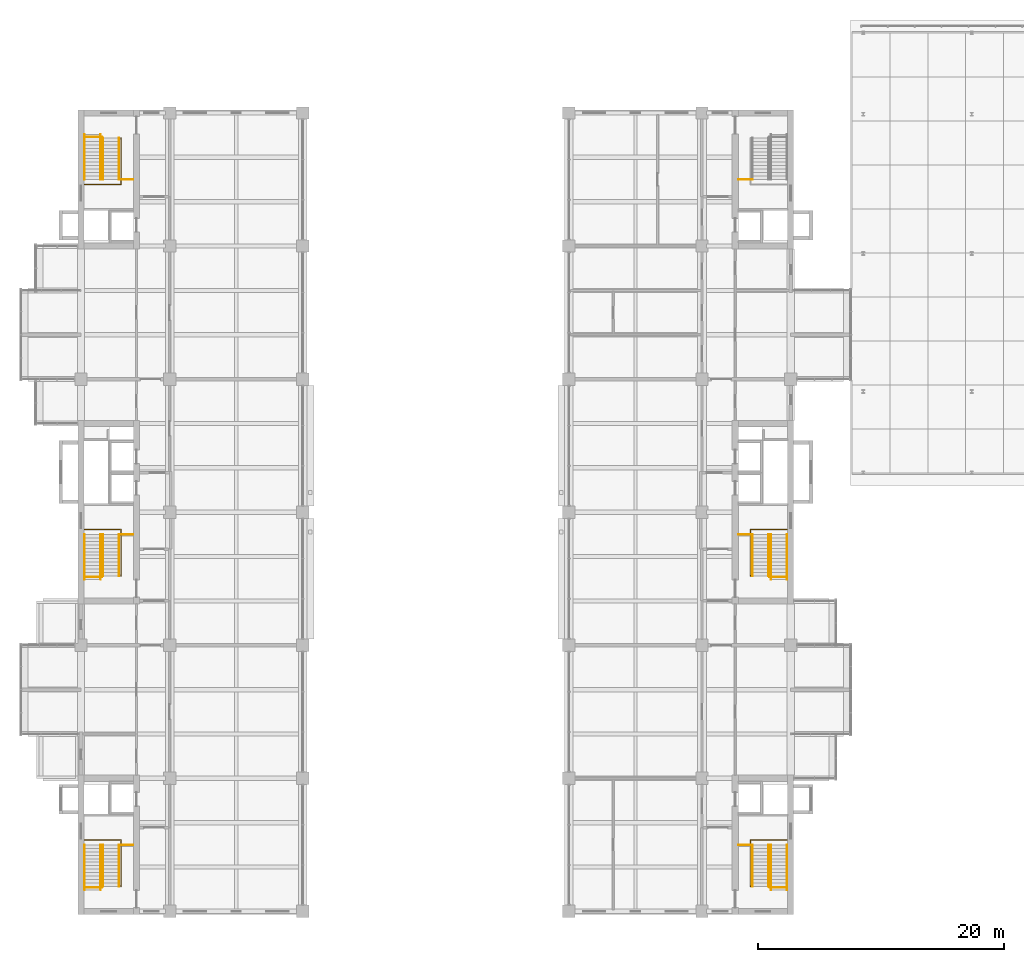
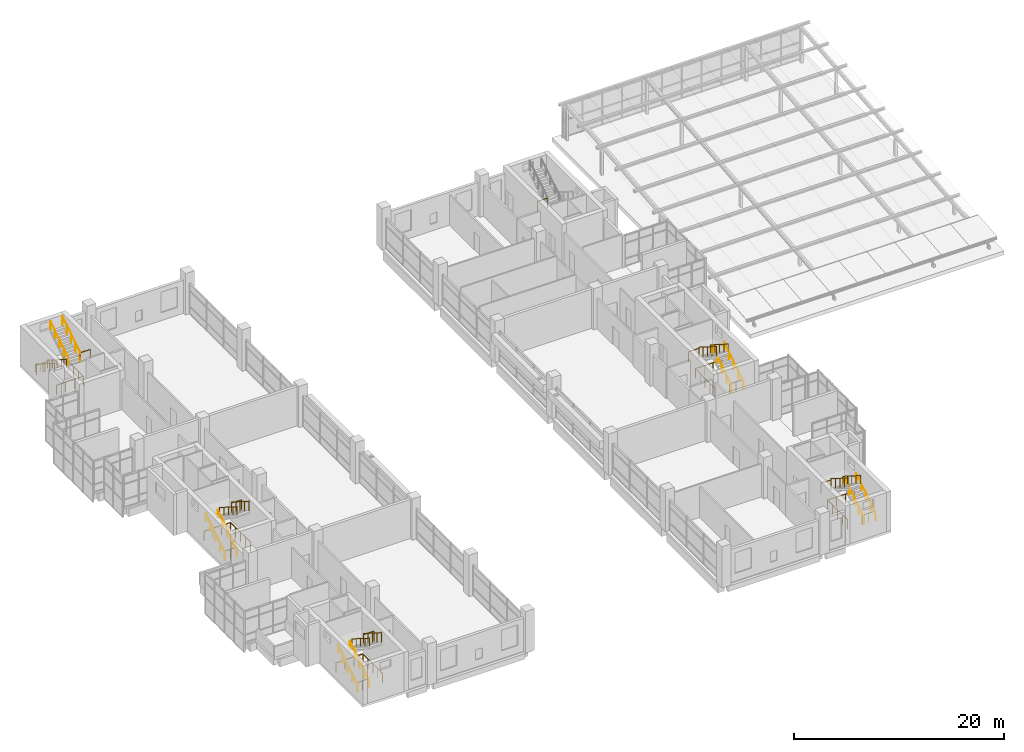
# One storey, part 43 of 44: 36 railings.
"""IFC4 building model written with IfcOpenShell, lengths in metres."""

from ifc_helpers import new_model, si_unit, direction, frame, origin, origin_2d, place, context, subcontext, project, spatial, circle, extrude, material, type_object, element, save


model = new_model("IFC4")

# Units and contexts
model_context = context("Model", 3, precision=1e-05, world=origin(), true_north=direction((0.0, 1.0)))
body_context = subcontext(model_context, "Body", "Model", "MODEL_VIEW")
ifc_project = project(units=[si_unit("LENGTHUNIT", "METRE"), si_unit("AREAUNIT", "SQUARE_METRE"), si_unit("VOLUMEUNIT", "CUBIC_METRE"), si_unit("PLANEANGLEUNIT", "RADIAN"), si_unit("MASSUNIT", "GRAM", prefix="KILO")], contexts=[model_context])

# Site, building, storey
site_placement = place(None, origin())
site = spatial("IfcSite", under=ifc_project, at=site_placement, CompositionType="ELEMENT")
building_placement = place(site_placement, origin())
building = spatial("IfcBuilding", under=site, at=building_placement, Name="Basin Gate Institute", CompositionType="ELEMENT")
storey_placement = place(building_placement, frame((0.0, 0.0, 27.0)))
storey = spatial("IfcBuildingStorey", under=building, at=storey_placement, Name="L05", CompositionType="ELEMENT", Elevation=27.0)

# Railings
ifc_material_1 = material(Name="Stainless steel", Category="steel")
railing_type_1 = type_object("IfcRailingType", Name="Stair guard GR1", PredefinedType="GUARDRAIL", material=ifc_material_1)
railing_1_placement = place(storey_placement, frame((64.449951171875, 37.1298828125, 0.0)))
element("IfcRailing", 1, at=railing_1_placement, inside=storey, type_object=railing_type_1, material=ifc_material_1, Name="Stair guard GR1 WS GD3-L04", PredefinedType="GUARDRAIL", context=body_context, shape_type="SweptSolid", body=[
    extrude(circle(Radius=0.02392578125, at=origin_2d()), frame((0.0, 0.0, 1.076171875), z_axis=(0.0, 1.0, 0.0), x_axis=(-1.0, 0.0, 0.0)), (0.0, 0.0, 1.0), 3.760009765625),
    extrude(circle(Radius=0.02392578125, at=origin_2d()), frame((0.0, 3.760009765625, 1.076171875), z_axis=(-1.0, 0.0, 0.0), x_axis=(0.0, -1.0, 0.0)), (0.0, 0.0, 1.0), 2.949951171875),
    extrude(circle(Radius=0.02099609375, at=origin_2d()), origin(), (0.0, 0.0, 1.0), 1.052001953125),
    extrude(circle(Radius=0.02099609375, at=origin_2d()), frame((0.0, 0.93994140625, 0.0)), (0.0, 0.0, 1.0), 1.052001953125),
    extrude(circle(Radius=0.02099609375, at=origin_2d()), frame((0.0, 1.8798828125, 0.0)), (0.0, 0.0, 1.0), 1.052001953125),
    extrude(circle(Radius=0.02099609375, at=origin_2d()), frame((0.0, 2.820068359375, 0.0)), (0.0, 0.0, 1.0), 1.052001953125),
    extrude(circle(Radius=0.02099609375, at=origin_2d()), frame((0.0, 3.760009765625, 0.0)), (0.0, 0.0, 1.0), 1.052001953125),
    extrude(circle(Radius=0.02099609375, at=origin_2d()), frame((-0.9833984375, 3.760009765625, 0.0)), (0.0, 0.0, 1.0), 1.052001953125),
    extrude(circle(Radius=0.02099609375, at=origin_2d()), frame((-1.966552734375, 3.760009765625, 0.0)), (0.0, 0.0, 1.0), 1.052001953125),
    extrude(circle(Radius=0.02099609375, at=origin_2d()), frame((-2.949951171875, 3.760009765625, 0.0)), (0.0, 0.0, 1.0), 1.052001953125),
])
railing_2_placement = place(storey_placement, frame((61.5, 37.050048828125, 0.0)))
element("IfcRailing", 2, at=railing_2_placement, inside=storey, type_object=railing_type_1, material=ifc_material_1, Name="Stair guard GR1 WS GD4-L04", PredefinedType="GUARDRAIL", context=body_context, shape_type="SweptSolid", body=[
    extrude(circle(Radius=0.02392578125, at=origin_2d()), frame((0.0, 0.0, 1.076171875), z_axis=(1.0, 0.0, 0.0), x_axis=(0.0, 1.0, 0.0)), (0.0, 0.0, 1.0), 1.39990234375),
    extrude(circle(Radius=0.02099609375, at=origin_2d()), origin(), (0.0, 0.0, 1.0), 1.052001953125),
    extrude(circle(Radius=0.02099609375, at=origin_2d()), frame((0.699951171875, 0.0, 0.0)), (0.0, 0.0, 1.0), 1.052001953125),
    extrude(circle(Radius=0.02099609375, at=origin_2d()), frame((1.39990234375, 0.0, 0.0)), (0.0, 0.0, 1.0), 1.052001953125),
])
railing_3_placement = place(storey_placement, frame((64.449951171875, 62.330078125, 0.0)))
element("IfcRailing", 3, at=railing_3_placement, inside=storey, type_object=railing_type_1, material=ifc_material_1, Name="Stair guard GR1 WM GD3-L04", PredefinedType="GUARDRAIL", context=body_context, shape_type="SweptSolid", body=[
    extrude(circle(Radius=0.02392578125, at=origin_2d()), frame((0.0, 0.0, 1.076171875), z_axis=(0.0, 1.0, 0.0), x_axis=(-1.0, 0.0, 0.0)), (0.0, 0.0, 1.0), 3.760009765625),
    extrude(circle(Radius=0.02392578125, at=origin_2d()), frame((0.0, 3.760009765625, 1.076171875), z_axis=(-1.0, 0.0, 0.0), x_axis=(0.0, -1.0, 0.0)), (0.0, 0.0, 1.0), 2.949951171875),
    extrude(circle(Radius=0.02099609375, at=origin_2d()), origin(), (0.0, 0.0, 1.0), 1.052001953125),
    extrude(circle(Radius=0.02099609375, at=origin_2d()), frame((0.0, 0.93994140625, 0.0)), (0.0, 0.0, 1.0), 1.052001953125),
    extrude(circle(Radius=0.02099609375, at=origin_2d()), frame((0.0, 1.8798828125, 0.0)), (0.0, 0.0, 1.0), 1.052001953125),
    extrude(circle(Radius=0.02099609375, at=origin_2d()), frame((0.0, 2.820068359375, 0.0)), (0.0, 0.0, 1.0), 1.052001953125),
    extrude(circle(Radius=0.02099609375, at=origin_2d()), frame((0.0, 3.760009765625, 0.0)), (0.0, 0.0, 1.0), 1.052001953125),
    extrude(circle(Radius=0.02099609375, at=origin_2d()), frame((-0.9833984375, 3.760009765625, 0.0)), (0.0, 0.0, 1.0), 1.052001953125),
    extrude(circle(Radius=0.02099609375, at=origin_2d()), frame((-1.966552734375, 3.760009765625, 0.0)), (0.0, 0.0, 1.0), 1.052001953125),
    extrude(circle(Radius=0.02099609375, at=origin_2d()), frame((-2.949951171875, 3.760009765625, 0.0)), (0.0, 0.0, 1.0), 1.052001953125),
])
railing_4_placement = place(storey_placement, frame((61.5, 62.25, 0.0)))
element("IfcRailing", 4, at=railing_4_placement, inside=storey, type_object=railing_type_1, material=ifc_material_1, Name="Stair guard GR1 WM GD4-L04", PredefinedType="GUARDRAIL", context=body_context, shape_type="SweptSolid", body=[
    extrude(circle(Radius=0.02392578125, at=origin_2d()), frame((0.0, 0.0, 1.076171875), z_axis=(1.0, 0.0, 0.0), x_axis=(0.0, 1.0, 0.0)), (0.0, 0.0, 1.0), 1.39990234375),
    extrude(circle(Radius=0.02099609375, at=origin_2d()), origin(), (0.0, 0.0, 1.0), 1.052001953125),
    extrude(circle(Radius=0.02099609375, at=origin_2d()), frame((0.699951171875, 0.0, 0.0)), (0.0, 0.0, 1.0), 1.052001953125),
    extrude(circle(Radius=0.02099609375, at=origin_2d()), frame((1.39990234375, 0.0, 0.0)), (0.0, 0.0, 1.0), 1.052001953125),
])
railing_5_placement = place(storey_placement, frame((64.449951171875, 97.8701171875, 0.0)))
element("IfcRailing", 5, at=railing_5_placement, inside=storey, type_object=railing_type_1, material=ifc_material_1, Name="Stair guard GR1 WN GD3-L04", PredefinedType="GUARDRAIL", context=body_context, shape_type="SweptSolid", body=[
    extrude(circle(Radius=0.02392578125, at=origin_2d()), frame((0.0, 0.0, 1.076171875), z_axis=(0.0, -1.0, 0.0), x_axis=(1.0, 0.0, 0.0)), (0.0, 0.0, 1.0), 3.760009765625),
    extrude(circle(Radius=0.02392578125, at=origin_2d()), frame((0.0, -3.760009765625, 1.076171875), z_axis=(-1.0, 0.0, 0.0), x_axis=(0.0, -1.0, 0.0)), (0.0, 0.0, 1.0), 2.949951171875),
    extrude(circle(Radius=0.02099609375, at=origin_2d()), origin(), (0.0, 0.0, 1.0), 1.052001953125),
    extrude(circle(Radius=0.02099609375, at=origin_2d()), frame((0.0, -0.93994140625, 0.0)), (0.0, 0.0, 1.0), 1.052001953125),
    extrude(circle(Radius=0.02099609375, at=origin_2d()), frame((0.0, -1.8798828125, 0.0)), (0.0, 0.0, 1.0), 1.052001953125),
    extrude(circle(Radius=0.02099609375, at=origin_2d()), frame((0.0, -2.820068359375, 0.0)), (0.0, 0.0, 1.0), 1.052001953125),
    extrude(circle(Radius=0.02099609375, at=origin_2d()), frame((0.0, -3.760009765625, 0.0)), (0.0, 0.0, 1.0), 1.052001953125),
    extrude(circle(Radius=0.02099609375, at=origin_2d()), frame((-0.9833984375, -3.760009765625, 0.0)), (0.0, 0.0, 1.0), 1.052001953125),
    extrude(circle(Radius=0.02099609375, at=origin_2d()), frame((-1.966552734375, -3.760009765625, 0.0)), (0.0, 0.0, 1.0), 1.052001953125),
    extrude(circle(Radius=0.02099609375, at=origin_2d()), frame((-2.949951171875, -3.760009765625, 0.0)), (0.0, 0.0, 1.0), 1.052001953125),
])
railing_6_placement = place(storey_placement, frame((61.5, 97.949951171875, 0.0)))
element("IfcRailing", 6, at=railing_6_placement, inside=storey, type_object=railing_type_1, material=ifc_material_1, Name="Stair guard GR1 WN GD4-L04", PredefinedType="GUARDRAIL", context=body_context, shape_type="SweptSolid", body=[
    extrude(circle(Radius=0.02392578125, at=origin_2d()), frame((0.0, 0.0, 1.076171875), z_axis=(1.0, 0.0, 0.0), x_axis=(0.0, 1.0, 0.0)), (0.0, 0.0, 1.0), 1.39990234375),
    extrude(circle(Radius=0.02099609375, at=origin_2d()), origin(), (0.0, 0.0, 1.0), 1.052001953125),
    extrude(circle(Radius=0.02099609375, at=origin_2d()), frame((0.699951171875, 0.0, 0.0)), (0.0, 0.0, 1.0), 1.052001953125),
    extrude(circle(Radius=0.02099609375, at=origin_2d()), frame((1.39990234375, 0.0, 0.0)), (0.0, 0.0, 1.0), 1.052001953125),
])
railing_7_placement = place(storey_placement, frame((115.550048828125, 37.1298828125, 0.0)))
element("IfcRailing", 7, at=railing_7_placement, inside=storey, type_object=railing_type_1, material=ifc_material_1, Name="Stair guard GR1 ES GD3-L04", PredefinedType="GUARDRAIL", context=body_context, shape_type="SweptSolid", body=[
    extrude(circle(Radius=0.02392578125, at=origin_2d()), frame((0.0, 0.0, 1.076171875), z_axis=(0.0, 1.0, 0.0), x_axis=(-1.0, 0.0, 0.0)), (0.0, 0.0, 1.0), 3.760009765625),
    extrude(circle(Radius=0.02392578125, at=origin_2d()), frame((0.0, 3.760009765625, 1.076171875), z_axis=(1.0, 0.0, 0.0), x_axis=(0.0, 1.0, 0.0)), (0.0, 0.0, 1.0), 2.949951171875),
    extrude(circle(Radius=0.02099609375, at=origin_2d()), origin(), (0.0, 0.0, 1.0), 1.052001953125),
    extrude(circle(Radius=0.02099609375, at=origin_2d()), frame((0.0, 0.93994140625, 0.0)), (0.0, 0.0, 1.0), 1.052001953125),
    extrude(circle(Radius=0.02099609375, at=origin_2d()), frame((0.0, 1.8798828125, 0.0)), (0.0, 0.0, 1.0), 1.052001953125),
    extrude(circle(Radius=0.02099609375, at=origin_2d()), frame((0.0, 2.820068359375, 0.0)), (0.0, 0.0, 1.0), 1.052001953125),
    extrude(circle(Radius=0.02099609375, at=origin_2d()), frame((0.0, 3.760009765625, 0.0)), (0.0, 0.0, 1.0), 1.052001953125),
    extrude(circle(Radius=0.02099609375, at=origin_2d()), frame((0.9833984375, 3.760009765625, 0.0)), (0.0, 0.0, 1.0), 1.052001953125),
    extrude(circle(Radius=0.02099609375, at=origin_2d()), frame((1.966552734375, 3.760009765625, 0.0)), (0.0, 0.0, 1.0), 1.052001953125),
    extrude(circle(Radius=0.02099609375, at=origin_2d()), frame((2.949951171875, 3.760009765625, 0.0)), (0.0, 0.0, 1.0), 1.052001953125),
])
railing_8_placement = place(storey_placement, frame((118.5, 37.050048828125, 0.0)))
element("IfcRailing", 8, at=railing_8_placement, inside=storey, type_object=railing_type_1, material=ifc_material_1, Name="Stair guard GR1 ES GD4-L04", PredefinedType="GUARDRAIL", context=body_context, shape_type="SweptSolid", body=[
    extrude(circle(Radius=0.02392578125, at=origin_2d()), frame((0.0, 0.0, 1.076171875), z_axis=(-1.0, 0.0, 0.0), x_axis=(0.0, -1.0, 0.0)), (0.0, 0.0, 1.0), 1.39990234375),
    extrude(circle(Radius=0.02099609375, at=origin_2d()), origin(), (0.0, 0.0, 1.0), 1.052001953125),
    extrude(circle(Radius=0.02099609375, at=origin_2d()), frame((-0.699951171875, 0.0, 0.0)), (0.0, 0.0, 1.0), 1.052001953125),
    extrude(circle(Radius=0.02099609375, at=origin_2d()), frame((-1.39990234375, 0.0, 0.0)), (0.0, 0.0, 1.0), 1.052001953125),
])
railing_9_placement = place(storey_placement, frame((115.550048828125, 62.330078125, 0.0)))
element("IfcRailing", 9, at=railing_9_placement, inside=storey, type_object=railing_type_1, material=ifc_material_1, Name="Stair guard GR1 EM GD3-L04", PredefinedType="GUARDRAIL", context=body_context, shape_type="SweptSolid", body=[
    extrude(circle(Radius=0.02392578125, at=origin_2d()), frame((0.0, 0.0, 1.076171875), z_axis=(0.0, 1.0, 0.0), x_axis=(-1.0, 0.0, 0.0)), (0.0, 0.0, 1.0), 3.760009765625),
    extrude(circle(Radius=0.02392578125, at=origin_2d()), frame((0.0, 3.760009765625, 1.076171875), z_axis=(1.0, 0.0, 0.0), x_axis=(0.0, 1.0, 0.0)), (0.0, 0.0, 1.0), 2.949951171875),
    extrude(circle(Radius=0.02099609375, at=origin_2d()), origin(), (0.0, 0.0, 1.0), 1.052001953125),
    extrude(circle(Radius=0.02099609375, at=origin_2d()), frame((0.0, 0.93994140625, 0.0)), (0.0, 0.0, 1.0), 1.052001953125),
    extrude(circle(Radius=0.02099609375, at=origin_2d()), frame((0.0, 1.8798828125, 0.0)), (0.0, 0.0, 1.0), 1.052001953125),
    extrude(circle(Radius=0.02099609375, at=origin_2d()), frame((0.0, 2.820068359375, 0.0)), (0.0, 0.0, 1.0), 1.052001953125),
    extrude(circle(Radius=0.02099609375, at=origin_2d()), frame((0.0, 3.760009765625, 0.0)), (0.0, 0.0, 1.0), 1.052001953125),
    extrude(circle(Radius=0.02099609375, at=origin_2d()), frame((0.9833984375, 3.760009765625, 0.0)), (0.0, 0.0, 1.0), 1.052001953125),
    extrude(circle(Radius=0.02099609375, at=origin_2d()), frame((1.966552734375, 3.760009765625, 0.0)), (0.0, 0.0, 1.0), 1.052001953125),
    extrude(circle(Radius=0.02099609375, at=origin_2d()), frame((2.949951171875, 3.760009765625, 0.0)), (0.0, 0.0, 1.0), 1.052001953125),
])
railing_10_placement = place(storey_placement, frame((118.5, 62.25, 0.0)))
element("IfcRailing", 10, at=railing_10_placement, inside=storey, type_object=railing_type_1, material=ifc_material_1, Name="Stair guard GR1 EM GD4-L04", PredefinedType="GUARDRAIL", context=body_context, shape_type="SweptSolid", body=[
    extrude(circle(Radius=0.02392578125, at=origin_2d()), frame((0.0, 0.0, 1.076171875), z_axis=(-1.0, 0.0, 0.0), x_axis=(0.0, -1.0, 0.0)), (0.0, 0.0, 1.0), 1.39990234375),
    extrude(circle(Radius=0.02099609375, at=origin_2d()), origin(), (0.0, 0.0, 1.0), 1.052001953125),
    extrude(circle(Radius=0.02099609375, at=origin_2d()), frame((-0.699951171875, 0.0, 0.0)), (0.0, 0.0, 1.0), 1.052001953125),
    extrude(circle(Radius=0.02099609375, at=origin_2d()), frame((-1.39990234375, 0.0, 0.0)), (0.0, 0.0, 1.0), 1.052001953125),
])
railing_11_placement = place(storey_placement, frame((64.300048828125, 40.489990234375, 2.666748046875)))
element("IfcRailing", 11, at=railing_11_placement, inside=storey, type_object=railing_type_1, material=ifc_material_1, Name="Stair guard GR1 WS GD1", PredefinedType="GUARDRAIL", context=body_context, shape_type="SweptSolid", body=[
    extrude(circle(Radius=0.02392578125, at=origin_2d()), frame((0.0, 0.0, 1.076171875), z_axis=(0.0, -0.844224270207, 0.535990094679), x_axis=(1.0, 0.0, 0.0)), (0.0, 0.0, 1.0), 3.980224609375),
    extrude(circle(Radius=0.02099609375, at=origin_2d()), origin(), (0.0, 0.0, 1.0), 1.052001953125),
    extrude(circle(Radius=0.02099609375, at=origin_2d()), frame((0.0, -0.840087890625, 0.533203125)), (0.0, 0.0, 1.0), 1.052001953125),
    extrude(circle(Radius=0.02099609375, at=origin_2d()), frame((0.0, -1.68017578125, 1.066650390625)), (0.0, 0.0, 1.0), 1.052001953125),
    extrude(circle(Radius=0.02099609375, at=origin_2d()), frame((0.0, -2.52001953125, 1.60009765625)), (0.0, 0.0, 1.0), 1.052001953125),
    extrude(circle(Radius=0.02099609375, at=origin_2d()), frame((0.0, -3.360107421875, 2.13330078125)), (0.0, 0.0, 1.0), 1.052001953125),
])
railing_12_placement = place(storey_placement, frame((64.300048828125, 65.68994140625, 2.666748046875)))
element("IfcRailing", 12, at=railing_12_placement, inside=storey, type_object=railing_type_1, material=ifc_material_1, Name="Stair guard GR1 WM GD1", PredefinedType="GUARDRAIL", context=body_context, shape_type="SweptSolid", body=[
    extrude(circle(Radius=0.02392578125, at=origin_2d()), frame((0.0, 0.0, 1.076171875), z_axis=(0.0, -0.844206646714, 0.536017851983), x_axis=(1.0, 0.0, 0.0)), (0.0, 0.0, 1.0), 3.97998046875),
    extrude(circle(Radius=0.02099609375, at=origin_2d()), origin(), (0.0, 0.0, 1.0), 1.052001953125),
    extrude(circle(Radius=0.02099609375, at=origin_2d()), frame((0.0, -0.83984375, 0.533203125)), (0.0, 0.0, 1.0), 1.052001953125),
    extrude(circle(Radius=0.02099609375, at=origin_2d()), frame((0.0, -1.679931640625, 1.066650390625)), (0.0, 0.0, 1.0), 1.052001953125),
    extrude(circle(Radius=0.02099609375, at=origin_2d()), frame((0.0, -2.52001953125, 1.60009765625)), (0.0, 0.0, 1.0), 1.052001953125),
    extrude(circle(Radius=0.02099609375, at=origin_2d()), frame((0.0, -3.35986328125, 2.13330078125)), (0.0, 0.0, 1.0), 1.052001953125),
])
railing_13_placement = place(storey_placement, frame((64.300048828125, 94.510009765625, 2.666748046875)))
element("IfcRailing", 13, at=railing_13_placement, inside=storey, type_object=railing_type_1, material=ifc_material_1, Name="Stair guard GR1 WN GD1", PredefinedType="GUARDRAIL", context=body_context, shape_type="SweptSolid", body=[
    extrude(circle(Radius=0.02392578125, at=origin_2d()), frame((0.0, 0.0, 1.076171875), z_axis=(0.0, 0.844224270207, 0.535990094679), x_axis=(-1.0, 0.0, 0.0)), (0.0, 0.0, 1.0), 3.980224609375),
    extrude(circle(Radius=0.02099609375, at=origin_2d()), origin(), (0.0, 0.0, 1.0), 1.052001953125),
    extrude(circle(Radius=0.02099609375, at=origin_2d()), frame((0.0, 0.840087890625, 0.533203125)), (0.0, 0.0, 1.0), 1.052001953125),
    extrude(circle(Radius=0.02099609375, at=origin_2d()), frame((0.0, 1.68017578125, 1.066650390625)), (0.0, 0.0, 1.0), 1.052001953125),
    extrude(circle(Radius=0.02099609375, at=origin_2d()), frame((0.0, 2.52001953125, 1.60009765625)), (0.0, 0.0, 1.0), 1.052001953125),
    extrude(circle(Radius=0.02099609375, at=origin_2d()), frame((0.0, 3.360107421875, 2.13330078125)), (0.0, 0.0, 1.0), 1.052001953125),
])
railing_14_placement = place(storey_placement, frame((115.699951171875, 40.489990234375, 2.666748046875)))
element("IfcRailing", 14, at=railing_14_placement, inside=storey, type_object=railing_type_1, material=ifc_material_1, Name="Stair guard GR1 ES GD1", PredefinedType="GUARDRAIL", context=body_context, shape_type="SweptSolid", body=[
    extrude(circle(Radius=0.02392578125, at=origin_2d()), frame((0.0, 0.0, 1.076171875), z_axis=(0.0, -0.844224270207, 0.535990094679), x_axis=(1.0, 0.0, 0.0)), (0.0, 0.0, 1.0), 3.980224609375),
    extrude(circle(Radius=0.02099609375, at=origin_2d()), origin(), (0.0, 0.0, 1.0), 1.052001953125),
    extrude(circle(Radius=0.02099609375, at=origin_2d()), frame((0.0, -0.840087890625, 0.533203125)), (0.0, 0.0, 1.0), 1.052001953125),
    extrude(circle(Radius=0.02099609375, at=origin_2d()), frame((0.0, -1.68017578125, 1.066650390625)), (0.0, 0.0, 1.0), 1.052001953125),
    extrude(circle(Radius=0.02099609375, at=origin_2d()), frame((0.0, -2.52001953125, 1.60009765625)), (0.0, 0.0, 1.0), 1.052001953125),
    extrude(circle(Radius=0.02099609375, at=origin_2d()), frame((0.0, -3.360107421875, 2.13330078125)), (0.0, 0.0, 1.0), 1.052001953125),
])
railing_15_placement = place(storey_placement, frame((115.699951171875, 65.68994140625, 2.666748046875)))
element("IfcRailing", 15, at=railing_15_placement, inside=storey, type_object=railing_type_1, material=ifc_material_1, Name="Stair guard GR1 EM GD1", PredefinedType="GUARDRAIL", context=body_context, shape_type="SweptSolid", body=[
    extrude(circle(Radius=0.02392578125, at=origin_2d()), frame((0.0, 0.0, 1.076171875), z_axis=(0.0, -0.844206646714, 0.536017851983), x_axis=(1.0, 0.0, 0.0)), (0.0, 0.0, 1.0), 3.97998046875),
    extrude(circle(Radius=0.02099609375, at=origin_2d()), origin(), (0.0, 0.0, 1.0), 1.052001953125),
    extrude(circle(Radius=0.02099609375, at=origin_2d()), frame((0.0, -0.83984375, 0.533203125)), (0.0, 0.0, 1.0), 1.052001953125),
    extrude(circle(Radius=0.02099609375, at=origin_2d()), frame((0.0, -1.679931640625, 1.066650390625)), (0.0, 0.0, 1.0), 1.052001953125),
    extrude(circle(Radius=0.02099609375, at=origin_2d()), frame((0.0, -2.52001953125, 1.60009765625)), (0.0, 0.0, 1.0), 1.052001953125),
    extrude(circle(Radius=0.02099609375, at=origin_2d()), frame((0.0, -3.35986328125, 2.13330078125)), (0.0, 0.0, 1.0), 1.052001953125),
])
ifc_material_2 = material(Name="Stainless steel", Category="steel")
railing_type_2 = type_object("IfcRailingType", Name="Stair guard GR3", PredefinedType="GUARDRAIL", material=ifc_material_2)
for number, where, name in (
    (16, (64.300048828125, 40.489990234375, 2.48876953125), "Stair guard GR3 WS GD2"),
    (17, (64.300048828125, 65.68994140625, 2.48876953125), "Stair guard GR3 WM GD2"),
    (18, (64.300048828125, 94.510009765625, 2.48876953125), "Stair guard GR3 WN GD2"),
):
    element("IfcRailing", number, at=place(storey_placement, frame(where)), inside=storey, type_object=railing_type_2, material=ifc_material_2, Name=name, PredefinedType="GUARDRAIL", context=body_context, shape_type="SweptSolid", body=[
        extrude(circle(Radius=0.02392578125, at=origin_2d()), frame((0.0, 0.0, 1.1259765625), z_axis=(1.0, 0.0, 0.0), x_axis=(0.0, 1.0, 0.0)), (0.0, 0.0, 1.0), 1.119873046875),
        extrude(circle(Radius=0.02099609375, at=origin_2d()), origin(), (0.0, 0.0, 1.0), 1.101806640625),
        extrude(circle(Radius=0.02099609375, at=origin_2d()), frame((1.119873046875, 0.0, 0.0)), (0.0, 0.0, 1.0), 1.101806640625),
    ])
for number, where, name in (
    (19, (115.699951171875, 40.489990234375, 2.48876953125), "Stair guard GR3 ES GD2"),
    (20, (115.699951171875, 65.68994140625, 2.48876953125), "Stair guard GR3 EM GD2"),
    (21, (115.699951171875, 94.510009765625, 2.48876953125), "Stair guard GR3 EN GD2"),
):
    element("IfcRailing", number, at=place(storey_placement, frame(where)), inside=storey, type_object=railing_type_2, material=ifc_material_2, Name=name, PredefinedType="GUARDRAIL", context=body_context, shape_type="SweptSolid", body=[
        extrude(circle(Radius=0.02392578125, at=origin_2d()), frame((0.0, 0.0, 1.1259765625), z_axis=(-1.0, 0.0, 0.0), x_axis=(0.0, -1.0, 0.0)), (0.0, 0.0, 1.0), 1.119873046875),
        extrude(circle(Radius=0.02099609375, at=origin_2d()), origin(), (0.0, 0.0, 1.0), 1.101806640625),
        extrude(circle(Radius=0.02099609375, at=origin_2d()), frame((-1.119873046875, 0.0, 0.0)), (0.0, 0.0, 1.0), 1.101806640625),
    ])
ifc_material_3 = material(Name="Stainless steel", Category="steel")
railing_type_3 = type_object("IfcRailingType", Name="Stair handrail HR1", PredefinedType="HANDRAIL", material=ifc_material_3)
for number, where, name in (
    (22, (61.5, 36.85009765625, 0.177734375), "Stair handrail HR1 WS HR1"),
    (23, (62.800048828125, 36.85009765625, 0.177734375), "Stair handrail HR1 WS HR2"),
):
    element("IfcRailing", number, at=place(storey_placement, frame(where)), inside=storey, type_object=railing_type_3, material=ifc_material_3, Name=name, PredefinedType="HANDRAIL", context=body_context, shape_type="SweptSolid", body=[
        extrude(circle(Radius=0.02392578125, at=origin_2d()), frame((0.0, 0.0, 0.89599609375), z_axis=(0.0, 0.84421362867, 0.536006855523), x_axis=(-1.0, 0.0, 0.0)), (0.0, 0.0, 1.0), 4.3115234375),
        extrude(circle(Radius=0.02099609375, at=origin_2d()), origin(), (0.0, 0.0, 1.0), 0.871826171875),
        extrude(circle(Radius=0.02099609375, at=origin_2d()), frame((0.0, 0.909912109375, 0.57763671875)), (0.0, 0.0, 1.0), 0.871826171875),
        extrude(circle(Radius=0.02099609375, at=origin_2d()), frame((0.0, 1.81982421875, 1.155517578125)), (0.0, 0.0, 1.0), 0.871826171875),
        extrude(circle(Radius=0.02099609375, at=origin_2d()), frame((0.0, 2.72998046875, 1.7333984375)), (0.0, 0.0, 1.0), 0.871826171875),
        extrude(circle(Radius=0.02099609375, at=origin_2d()), frame((0.0, 3.639892578125, 2.31103515625)), (0.0, 0.0, 1.0), 0.871826171875),
    ])
railing_16_placement = place(storey_placement, frame((63.0, 40.489990234375, 2.666748046875)))
element("IfcRailing", 24, at=railing_16_placement, inside=storey, type_object=railing_type_3, material=ifc_material_3, Name="Stair handrail HR1 WS HR3", PredefinedType="HANDRAIL", context=body_context, shape_type="SweptSolid", body=[
    extrude(circle(Radius=0.02392578125, at=origin_2d()), frame((0.0, 0.0, 0.89599609375), z_axis=(0.0, -0.844224270207, 0.535990094679), x_axis=(1.0, 0.0, 0.0)), (0.0, 0.0, 1.0), 3.980224609375),
    extrude(circle(Radius=0.02099609375, at=origin_2d()), origin(), (0.0, 0.0, 1.0), 0.871826171875),
    extrude(circle(Radius=0.02099609375, at=origin_2d()), frame((0.0, -0.840087890625, 0.533203125)), (0.0, 0.0, 1.0), 0.871826171875),
    extrude(circle(Radius=0.02099609375, at=origin_2d()), frame((0.0, -1.68017578125, 1.066650390625)), (0.0, 0.0, 1.0), 0.871826171875),
    extrude(circle(Radius=0.02099609375, at=origin_2d()), frame((0.0, -2.52001953125, 1.60009765625)), (0.0, 0.0, 1.0), 0.871826171875),
    extrude(circle(Radius=0.02099609375, at=origin_2d()), frame((0.0, -3.360107421875, 2.13330078125)), (0.0, 0.0, 1.0), 0.871826171875),
])
for number, where, name in (
    (25, (61.5, 62.050048828125, 0.177734375), "Stair handrail HR1 WM HR1"),
    (26, (62.800048828125, 62.050048828125, 0.177734375), "Stair handrail HR1 WM HR2"),
):
    element("IfcRailing", number, at=place(storey_placement, frame(where)), inside=storey, type_object=railing_type_3, material=ifc_material_3, Name=name, PredefinedType="HANDRAIL", context=body_context, shape_type="SweptSolid", body=[
        extrude(circle(Radius=0.02392578125, at=origin_2d()), frame((0.0, 0.0, 0.89599609375), z_axis=(0.0, 0.84421362867, 0.536006855523), x_axis=(-1.0, 0.0, 0.0)), (0.0, 0.0, 1.0), 4.3115234375),
        extrude(circle(Radius=0.02099609375, at=origin_2d()), origin(), (0.0, 0.0, 1.0), 0.871826171875),
        extrude(circle(Radius=0.02099609375, at=origin_2d()), frame((0.0, 0.909912109375, 0.57763671875)), (0.0, 0.0, 1.0), 0.871826171875),
        extrude(circle(Radius=0.02099609375, at=origin_2d()), frame((0.0, 1.81982421875, 1.155517578125)), (0.0, 0.0, 1.0), 0.871826171875),
        extrude(circle(Radius=0.02099609375, at=origin_2d()), frame((0.0, 2.72998046875, 1.7333984375)), (0.0, 0.0, 1.0), 0.871826171875),
        extrude(circle(Radius=0.02099609375, at=origin_2d()), frame((0.0, 3.639892578125, 2.31103515625)), (0.0, 0.0, 1.0), 0.871826171875),
    ])
railing_17_placement = place(storey_placement, frame((63.0, 65.68994140625, 2.666748046875)))
element("IfcRailing", 27, at=railing_17_placement, inside=storey, type_object=railing_type_3, material=ifc_material_3, Name="Stair handrail HR1 WM HR3", PredefinedType="HANDRAIL", context=body_context, shape_type="SweptSolid", body=[
    extrude(circle(Radius=0.02392578125, at=origin_2d()), frame((0.0, 0.0, 0.89599609375), z_axis=(0.0, -0.844206646714, 0.536017851983), x_axis=(1.0, 0.0, 0.0)), (0.0, 0.0, 1.0), 3.97998046875),
    extrude(circle(Radius=0.02099609375, at=origin_2d()), origin(), (0.0, 0.0, 1.0), 0.871826171875),
    extrude(circle(Radius=0.02099609375, at=origin_2d()), frame((0.0, -0.83984375, 0.533203125)), (0.0, 0.0, 1.0), 0.871826171875),
    extrude(circle(Radius=0.02099609375, at=origin_2d()), frame((0.0, -1.679931640625, 1.066650390625)), (0.0, 0.0, 1.0), 0.871826171875),
    extrude(circle(Radius=0.02099609375, at=origin_2d()), frame((0.0, -2.52001953125, 1.60009765625)), (0.0, 0.0, 1.0), 0.871826171875),
    extrude(circle(Radius=0.02099609375, at=origin_2d()), frame((0.0, -3.35986328125, 2.13330078125)), (0.0, 0.0, 1.0), 0.871826171875),
])
for number, where, name in (
    (28, (61.5, 98.14990234375, 0.177734375), "Stair handrail HR1 WN HR1"),
    (29, (62.800048828125, 98.14990234375, 0.177734375), "Stair handrail HR1 WN HR2"),
):
    element("IfcRailing", number, at=place(storey_placement, frame(where)), inside=storey, type_object=railing_type_3, material=ifc_material_3, Name=name, PredefinedType="HANDRAIL", context=body_context, shape_type="SweptSolid", body=[
        extrude(circle(Radius=0.02392578125, at=origin_2d()), frame((0.0, 0.0, 0.89599609375), z_axis=(0.0, -0.84421362867, 0.536006855523), x_axis=(1.0, 0.0, 0.0)), (0.0, 0.0, 1.0), 4.3115234375),
        extrude(circle(Radius=0.02099609375, at=origin_2d()), origin(), (0.0, 0.0, 1.0), 0.871826171875),
        extrude(circle(Radius=0.02099609375, at=origin_2d()), frame((0.0, -0.909912109375, 0.57763671875)), (0.0, 0.0, 1.0), 0.871826171875),
        extrude(circle(Radius=0.02099609375, at=origin_2d()), frame((0.0, -1.81982421875, 1.155517578125)), (0.0, 0.0, 1.0), 0.871826171875),
        extrude(circle(Radius=0.02099609375, at=origin_2d()), frame((0.0, -2.72998046875, 1.7333984375)), (0.0, 0.0, 1.0), 0.871826171875),
        extrude(circle(Radius=0.02099609375, at=origin_2d()), frame((0.0, -3.639892578125, 2.31103515625)), (0.0, 0.0, 1.0), 0.871826171875),
    ])
railing_18_placement = place(storey_placement, frame((63.0, 94.510009765625, 2.666748046875)))
element("IfcRailing", 30, at=railing_18_placement, inside=storey, type_object=railing_type_3, material=ifc_material_3, Name="Stair handrail HR1 WN HR3", PredefinedType="HANDRAIL", context=body_context, shape_type="SweptSolid", body=[
    extrude(circle(Radius=0.02392578125, at=origin_2d()), frame((0.0, 0.0, 0.89599609375), z_axis=(0.0, 0.844224270207, 0.535990094679), x_axis=(-1.0, 0.0, 0.0)), (0.0, 0.0, 1.0), 3.980224609375),
    extrude(circle(Radius=0.02099609375, at=origin_2d()), origin(), (0.0, 0.0, 1.0), 0.871826171875),
    extrude(circle(Radius=0.02099609375, at=origin_2d()), frame((0.0, 0.840087890625, 0.533203125)), (0.0, 0.0, 1.0), 0.871826171875),
    extrude(circle(Radius=0.02099609375, at=origin_2d()), frame((0.0, 1.68017578125, 1.066650390625)), (0.0, 0.0, 1.0), 0.871826171875),
    extrude(circle(Radius=0.02099609375, at=origin_2d()), frame((0.0, 2.52001953125, 1.60009765625)), (0.0, 0.0, 1.0), 0.871826171875),
    extrude(circle(Radius=0.02099609375, at=origin_2d()), frame((0.0, 3.360107421875, 2.13330078125)), (0.0, 0.0, 1.0), 0.871826171875),
])
for number, where, name in (
    (31, (118.5, 36.85009765625, 0.177734375), "Stair handrail HR1 ES HR1"),
    (32, (117.199951171875, 36.85009765625, 0.177734375), "Stair handrail HR1 ES HR2"),
):
    element("IfcRailing", number, at=place(storey_placement, frame(where)), inside=storey, type_object=railing_type_3, material=ifc_material_3, Name=name, PredefinedType="HANDRAIL", context=body_context, shape_type="SweptSolid", body=[
        extrude(circle(Radius=0.02392578125, at=origin_2d()), frame((0.0, 0.0, 0.89599609375), z_axis=(0.0, 0.84421362867, 0.536006855523), x_axis=(-1.0, 0.0, 0.0)), (0.0, 0.0, 1.0), 4.3115234375),
        extrude(circle(Radius=0.02099609375, at=origin_2d()), origin(), (0.0, 0.0, 1.0), 0.871826171875),
        extrude(circle(Radius=0.02099609375, at=origin_2d()), frame((0.0, 0.909912109375, 0.57763671875)), (0.0, 0.0, 1.0), 0.871826171875),
        extrude(circle(Radius=0.02099609375, at=origin_2d()), frame((0.0, 1.81982421875, 1.155517578125)), (0.0, 0.0, 1.0), 0.871826171875),
        extrude(circle(Radius=0.02099609375, at=origin_2d()), frame((0.0, 2.72998046875, 1.7333984375)), (0.0, 0.0, 1.0), 0.871826171875),
        extrude(circle(Radius=0.02099609375, at=origin_2d()), frame((0.0, 3.639892578125, 2.31103515625)), (0.0, 0.0, 1.0), 0.871826171875),
    ])
railing_19_placement = place(storey_placement, frame((117.0, 40.489990234375, 2.666748046875)))
element("IfcRailing", 33, at=railing_19_placement, inside=storey, type_object=railing_type_3, material=ifc_material_3, Name="Stair handrail HR1 ES HR3", PredefinedType="HANDRAIL", context=body_context, shape_type="SweptSolid", body=[
    extrude(circle(Radius=0.02392578125, at=origin_2d()), frame((0.0, 0.0, 0.89599609375), z_axis=(0.0, -0.844224270207, 0.535990094679), x_axis=(1.0, 0.0, 0.0)), (0.0, 0.0, 1.0), 3.980224609375),
    extrude(circle(Radius=0.02099609375, at=origin_2d()), origin(), (0.0, 0.0, 1.0), 0.871826171875),
    extrude(circle(Radius=0.02099609375, at=origin_2d()), frame((0.0, -0.840087890625, 0.533203125)), (0.0, 0.0, 1.0), 0.871826171875),
    extrude(circle(Radius=0.02099609375, at=origin_2d()), frame((0.0, -1.68017578125, 1.066650390625)), (0.0, 0.0, 1.0), 0.871826171875),
    extrude(circle(Radius=0.02099609375, at=origin_2d()), frame((0.0, -2.52001953125, 1.60009765625)), (0.0, 0.0, 1.0), 0.871826171875),
    extrude(circle(Radius=0.02099609375, at=origin_2d()), frame((0.0, -3.360107421875, 2.13330078125)), (0.0, 0.0, 1.0), 0.871826171875),
])
for number, where, name in (
    (34, (118.5, 62.050048828125, 0.177734375), "Stair handrail HR1 EM HR1"),
    (35, (117.199951171875, 62.050048828125, 0.177734375), "Stair handrail HR1 EM HR2"),
):
    element("IfcRailing", number, at=place(storey_placement, frame(where)), inside=storey, type_object=railing_type_3, material=ifc_material_3, Name=name, PredefinedType="HANDRAIL", context=body_context, shape_type="SweptSolid", body=[
        extrude(circle(Radius=0.02392578125, at=origin_2d()), frame((0.0, 0.0, 0.89599609375), z_axis=(0.0, 0.84421362867, 0.536006855523), x_axis=(-1.0, 0.0, 0.0)), (0.0, 0.0, 1.0), 4.3115234375),
        extrude(circle(Radius=0.02099609375, at=origin_2d()), origin(), (0.0, 0.0, 1.0), 0.871826171875),
        extrude(circle(Radius=0.02099609375, at=origin_2d()), frame((0.0, 0.909912109375, 0.57763671875)), (0.0, 0.0, 1.0), 0.871826171875),
        extrude(circle(Radius=0.02099609375, at=origin_2d()), frame((0.0, 1.81982421875, 1.155517578125)), (0.0, 0.0, 1.0), 0.871826171875),
        extrude(circle(Radius=0.02099609375, at=origin_2d()), frame((0.0, 2.72998046875, 1.7333984375)), (0.0, 0.0, 1.0), 0.871826171875),
        extrude(circle(Radius=0.02099609375, at=origin_2d()), frame((0.0, 3.639892578125, 2.31103515625)), (0.0, 0.0, 1.0), 0.871826171875),
    ])
railing_20_placement = place(storey_placement, frame((117.0, 65.68994140625, 2.666748046875)))
element("IfcRailing", 36, at=railing_20_placement, inside=storey, type_object=railing_type_3, material=ifc_material_3, Name="Stair handrail HR1 EM HR3", PredefinedType="HANDRAIL", context=body_context, shape_type="SweptSolid", body=[
    extrude(circle(Radius=0.02392578125, at=origin_2d()), frame((0.0, 0.0, 0.89599609375), z_axis=(0.0, -0.844206646714, 0.536017851983), x_axis=(1.0, 0.0, 0.0)), (0.0, 0.0, 1.0), 3.97998046875),
    extrude(circle(Radius=0.02099609375, at=origin_2d()), origin(), (0.0, 0.0, 1.0), 0.871826171875),
    extrude(circle(Radius=0.02099609375, at=origin_2d()), frame((0.0, -0.83984375, 0.533203125)), (0.0, 0.0, 1.0), 0.871826171875),
    extrude(circle(Radius=0.02099609375, at=origin_2d()), frame((0.0, -1.679931640625, 1.066650390625)), (0.0, 0.0, 1.0), 0.871826171875),
    extrude(circle(Radius=0.02099609375, at=origin_2d()), frame((0.0, -2.52001953125, 1.60009765625)), (0.0, 0.0, 1.0), 0.871826171875),
    extrude(circle(Radius=0.02099609375, at=origin_2d()), frame((0.0, -3.35986328125, 2.13330078125)), (0.0, 0.0, 1.0), 0.871826171875),
])

save(model, "model.ifc")
